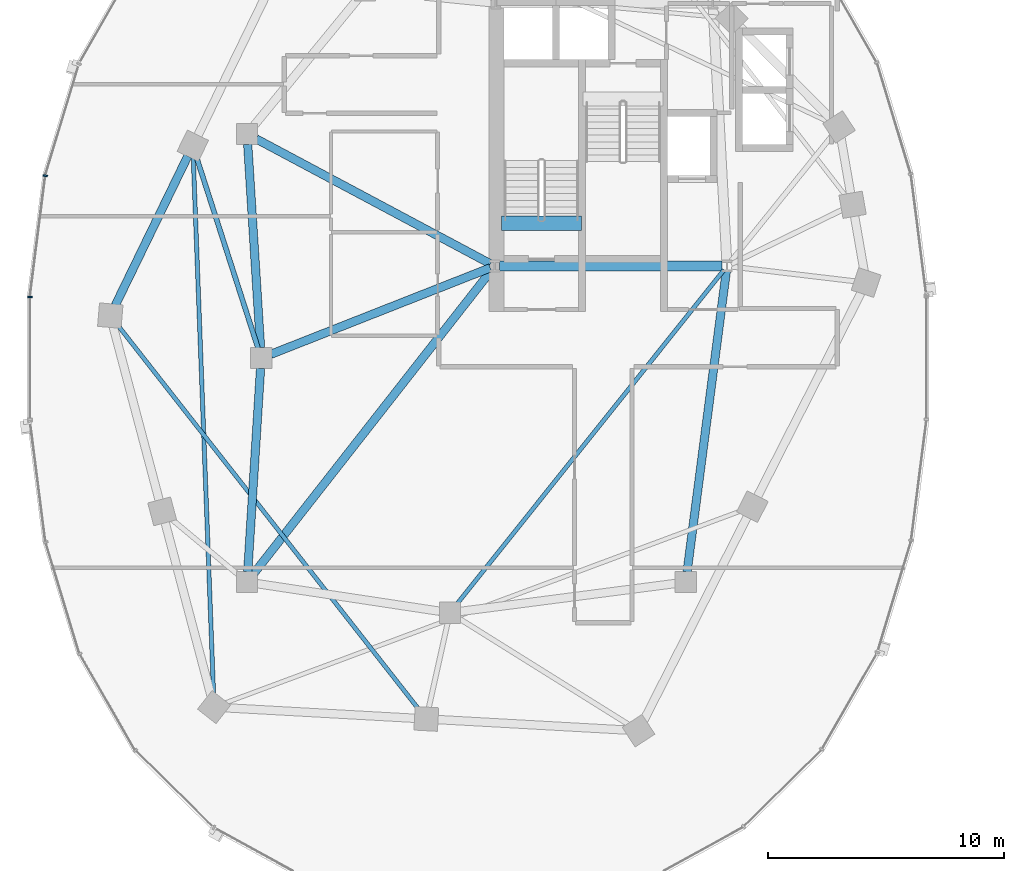
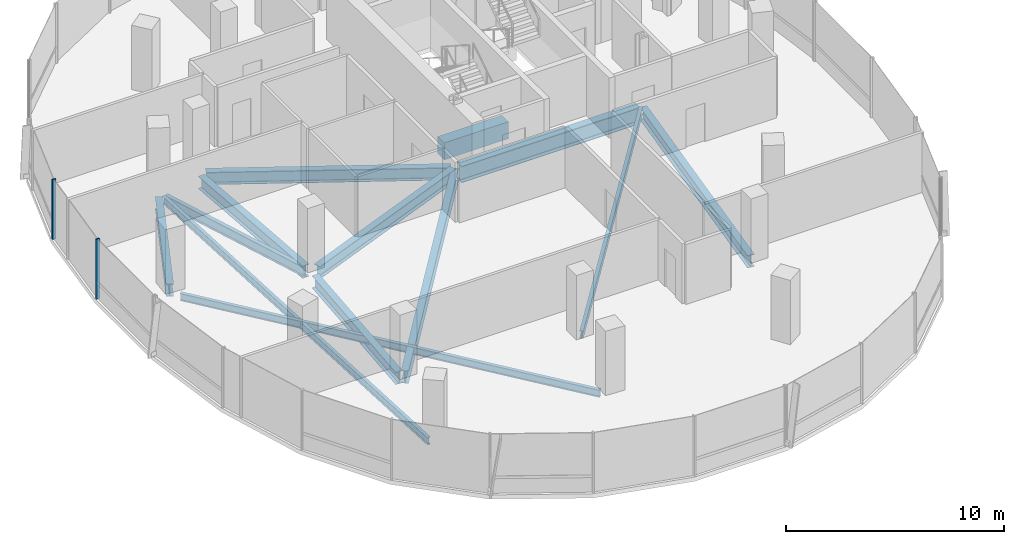
# One storey, part 3 of 22: 13 beams, 2 members, 1 element without a shape of its own.
"""IFC4 building model written with IfcOpenShell, lengths in metres."""

from ifc_helpers import new_model, si_unit, direction, frame, origin, origin_2d, place, context, subcontext, project, spatial, rectangle, i_section, extrude, material, material_profile, profile_set, type_object, element, aggregate, save


model = new_model("IFC4")

# Units and contexts
model_context = context("Model", 3, precision=1e-05, world=origin(), true_north=direction((0.0, 1.0)))
body_context = subcontext(model_context, "Body", "Model", "MODEL_VIEW")
ifc_project = project(units=[si_unit("LENGTHUNIT", "METRE"), si_unit("AREAUNIT", "SQUARE_METRE"), si_unit("VOLUMEUNIT", "CUBIC_METRE"), si_unit("PLANEANGLEUNIT", "RADIAN"), si_unit("MASSUNIT", "GRAM", prefix="KILO"), si_unit("THERMODYNAMICTEMPERATUREUNIT", "KELVIN"), si_unit("POWERUNIT", "WATT")], contexts=[model_context])

# Site, building, storey
site_placement = place(None, origin())
site = spatial("IfcSite", under=ifc_project, at=site_placement, CompositionType="ELEMENT")
building_placement = place(site_placement, origin())
building = spatial("IfcBuilding", under=site, at=building_placement, Name="Cundina Bronze Exchange", CompositionType="ELEMENT")
storey_placement = place(building_placement, frame((0.0, 0.0, 165.60009765625)))
storey = spatial("IfcBuildingStorey", under=building, at=storey_placement, Name="L43", CompositionType="ELEMENT", Elevation=165.60009765625)

# Beams
ifc_material_1 = material(Name="Concrete C60/75", Category="concrete")
ifc_material_profile_1 = material_profile(ifc_material_1, rectangle(XDim=0.60009765625, YDim=0.949951171875, at=origin_2d()), Name="RC600X950", Category="concrete")
ifc_profile_set_1 = profile_set([ifc_material_profile_1], Name="Concrete C60/75")
beam_type_1 = type_object("IfcBeamType", Name="BM-COUP-RC950", PredefinedType="LINTEL", material=ifc_profile_set_1)
beam_1_placement = place(storey_placement, frame((-31.02001953125, 5.719970703125, -0.47509765625), z_axis=(1.0, 0.0, 0.0), x_axis=(0.0, 1.0, 0.0)))
element("IfcBeam", 1, at=beam_1_placement, inside=storey, type_object=beam_type_1, Name="L43 Stair W1 Landing Header Beam", PredefinedType="LINTEL", context=body_context, shape_type="SweptSolid", body=[
    extrude(rectangle(XDim=0.60009765625, YDim=0.949951171875, at=origin_2d()), origin(), (0.0, 0.0, 1.0), 3.39990234375),
])
ifc_material_2 = material(Name="Steel ASTM A992 Grade 50", Category="steel")
ifc_material_profile_2 = material_profile(ifc_material_2, i_section(OverallWidth=0.2119140625, OverallDepth=0.5439453125, WebThickness=0.01318359375, FlangeThickness=0.021240234375, FilletRadius=0.013916015625, at=origin_2d()), Name="W21X83", Category="steel")
ifc_profile_set_2 = profile_set([ifc_material_profile_2], Name="Steel ASTM A992 Grade 50")
beam_type_2 = type_object("IfcBeamType", Name="BM-FLR-W21A", PredefinedType="BEAM", material=ifc_profile_set_2)
beam_2_placement = place(storey_placement, frame((-41.334228515625, 0.4169921875, -0.51220703125), z_axis=(-0.30669751302, 0.951807036908, 0.0), x_axis=(-0.951807036908, -0.30669751302, 0.0)))
element("IfcBeam", 2, at=beam_2_placement, inside=storey, type_object=beam_type_2, Name="L43 Leg W Radial Floor Beam 07", PredefinedType="BEAM", context=body_context, shape_type="SweptSolid", body=[
    extrude(i_section(OverallWidth=0.2119140625, OverallDepth=0.5439453125, WebThickness=0.01318359375, FlangeThickness=0.021240234375, FilletRadius=0.013916015625, at=origin_2d()), origin(), (0.0, 0.0, 1.0), 8.529541015625),
])
ifc_material_profile_3 = material_profile(ifc_material_2, i_section(OverallWidth=0.178955078125, OverallDepth=0.409912109375, WebThickness=0.0087890625, FlangeThickness=0.014404296875, FilletRadius=0.010986328125, at=origin_2d()), Name="W16X45", Category="steel")
ifc_profile_set_3 = profile_set([ifc_material_profile_3], Name="Steel ASTM A992 Grade 50")
beam_type_3 = type_object("IfcBeamType", Name="BM-JST-W16", PredefinedType="JOIST", material=ifc_profile_set_3)
beam_3_placement = place(storey_placement, frame((-21.577392578125, 3.740478515625, -0.445068359375), z_axis=(-0.624370675223, -0.781128196854, 0.0), x_axis=(0.781128196854, -0.624370675223, 0.0)))
element("IfcBeam", 3, at=beam_3_placement, inside=storey, type_object=beam_type_3, Name="L43 W Interior Core-to-Ring Joist 2", PredefinedType="JOIST", context=body_context, shape_type="SweptSolid", body=[
    extrude(i_section(OverallWidth=0.178955078125, OverallDepth=0.409912109375, WebThickness=0.0087890625, FlangeThickness=0.014404296875, FilletRadius=0.010986328125, at=origin_2d()), origin(), (0.0, 0.0, 1.0), 18.177001953125),
])
beam_4_placement = place(storey_placement, frame((-44.08154296875, 8.51220703125, -0.445068359375), z_axis=(0.037784933381, -0.999285894431, 0.0), x_axis=(0.999285894431, 0.037784933381, 0.0)))
element("IfcBeam", 4, at=beam_4_placement, inside=storey, type_object=beam_type_3, Name="L43 Leg W Lobe Floor Joist 07-10", PredefinedType="JOIST", context=body_context, shape_type="SweptSolid", body=[
    extrude(i_section(OverallWidth=0.178955078125, OverallDepth=0.409912109375, WebThickness=0.0087890625, FlangeThickness=0.014404296875, FilletRadius=0.010986328125, at=origin_2d()), origin(), (0.0, 0.0, 1.0), 22.8408203125),
])
beam_5_placement = place(storey_placement, frame((-47.299072265625, 1.416015625, -0.445068359375), z_axis=(0.616801484103, -0.787118751656, 0.0), x_axis=(0.787118751656, 0.616801484103, 0.0)))
element("IfcBeam", 5, at=beam_5_placement, inside=storey, type_object=beam_type_3, Name="L43 Leg W Lobe Floor Joist 08-11", PredefinedType="JOIST", context=body_context, shape_type="SweptSolid", body=[
    extrude(i_section(OverallWidth=0.178955078125, OverallDepth=0.409912109375, WebThickness=0.0087890625, FlangeThickness=0.014404296875, FilletRadius=0.010986328125, at=origin_2d()), origin(), (0.0, 0.0, 1.0), 20.7490234375),
])
ifc_material_profile_4 = material_profile(ifc_material_2, i_section(OverallWidth=0.35498046875, OverallDepth=0.695068359375, WebThickness=0.015380859375, FlangeThickness=0.02490234375, FilletRadius=0.01806640625, at=origin_2d()), Name="W27X146", Category="steel")
ifc_profile_set_4 = profile_set([ifc_material_profile_4], Name="Steel ASTM A992 Grade 50")
beam_type_4 = type_object("IfcBeamType", Name="BM-RING-W27", PredefinedType="USERDEFINED", material=ifc_profile_set_4)
for number, where, z_axis, x_axis, name in (
    (6, (-41.7724609375, 9.06298828125, -0.587646484375), (0.063046519736, -0.998010589297, 0.0), (0.998010589297, 0.063046519736, 0.0), "L43 W Inner Structural Ring Girder 03"),
    (7, (-41.2275390625, -0.43701171875, -0.587646484375), (-0.063046519736, -0.998010589297, 0.0), (0.998010589297, -0.063046519736, 0.0), "L43 W Inner Structural Ring Girder 04"),
):
    element("IfcBeam", number, at=place(storey_placement, frame(where, z_axis=z_axis, x_axis=x_axis)), inside=storey, type_object=beam_type_4, Name=name, ObjectType="GIRDER", PredefinedType="USERDEFINED", context=body_context, shape_type="SweptSolid", body=[
        extrude(i_section(OverallWidth=0.35498046875, OverallDepth=0.695068359375, WebThickness=0.015380859375, FlangeThickness=0.02490234375, FilletRadius=0.01806640625, at=origin_2d()), origin(), (0.0, 0.0, 1.0), 8.64306640625),
    ])
beam_6_placement = place(storey_placement, frame((-23.143310546875, -9.065673828125, -0.587646484375), z_axis=(0.129507030047, 0.991578503785, 0.0), x_axis=(-0.991578503785, 0.129507030047, 0.0)))
element("IfcBeam", 8, at=beam_6_placement, inside=storey, type_object=beam_type_4, Name="L43 W Inner Structural Ring Girder 07", ObjectType="GIRDER", PredefinedType="USERDEFINED", context=body_context, shape_type="SweptSolid", body=[
    extrude(i_section(OverallWidth=0.35498046875, OverallDepth=0.695068359375, WebThickness=0.015380859375, FlangeThickness=0.02490234375, FilletRadius=0.01806640625, at=origin_2d()), origin(), (0.0, 0.0, 1.0), 12.871826171875),
])
beam_7_placement = place(storey_placement, frame((-31.48974609375, 3.8251953125, -0.587646484375), z_axis=(-0.930405617189, -0.36653156413, 0.0), x_axis=(0.36653156413, -0.930405617189, 0.0)))
element("IfcBeam", 9, at=beam_7_placement, inside=storey, type_object=beam_type_4, Name="L43 W Core-to-Waist Tie Beam 1", ObjectType="GIRDER", PredefinedType="USERDEFINED", context=body_context, shape_type="SweptSolid", body=[
    extrude(i_section(OverallWidth=0.35498046875, OverallDepth=0.695068359375, WebThickness=0.015380859375, FlangeThickness=0.02490234375, FilletRadius=0.01806640625, at=origin_2d()), origin(), (0.0, 0.0, 1.0), 9.99853515625),
])
beam_8_placement = place(storey_placement, frame((-31.47998046875, 3.99609375, -0.587646484375), z_axis=(-0.88235534237, 0.470583733028, 0.0), x_axis=(-0.470583733028, -0.88235534237, 0.0)))
element("IfcBeam", 10, at=beam_8_placement, inside=storey, type_object=beam_type_4, Name="L43 W Core-to-Waist Tie Beam 2", ObjectType="GIRDER", PredefinedType="USERDEFINED", context=body_context, shape_type="SweptSolid", body=[
    extrude(i_section(OverallWidth=0.35498046875, OverallDepth=0.695068359375, WebThickness=0.015380859375, FlangeThickness=0.02490234375, FilletRadius=0.01806640625, at=origin_2d()), origin(), (0.0, 0.0, 1.0), 11.258056640625),
])
beam_9_placement = place(storey_placement, frame((-31.42578125, 3.739501953125, -0.587646484375), z_axis=(-0.616779109924, -0.787136283982, 0.0), x_axis=(0.787136283982, -0.616779109924, 0.0)))
element("IfcBeam", 11, at=beam_9_placement, inside=storey, type_object=beam_type_4, Name="L43 W Core-to-Waist Tie Beam 3", ObjectType="GIRDER", PredefinedType="USERDEFINED", context=body_context, shape_type="SweptSolid", body=[
    extrude(i_section(OverallWidth=0.35498046875, OverallDepth=0.695068359375, WebThickness=0.015380859375, FlangeThickness=0.02490234375, FilletRadius=0.01806640625, at=origin_2d()), origin(), (0.0, 0.0, 1.0), 16.3818359375),
])
beam_10_placement = place(storey_placement, frame((-44.3134765625, 8.56103515625, -0.587646484375), z_axis=(-0.437196998825, -0.89936576776, 0.0), x_axis=(0.89936576776, -0.437196998825, 0.0)))
element("IfcBeam", 12, at=beam_10_placement, inside=storey, type_object=beam_type_4, Name="L43 W Perimeter Ring Girder 07", ObjectType="GIRDER", PredefinedType="USERDEFINED", context=body_context, shape_type="SweptSolid", body=[
    extrude(i_section(OverallWidth=0.35498046875, OverallDepth=0.695068359375, WebThickness=0.015380859375, FlangeThickness=0.02490234375, FilletRadius=0.01806640625, at=origin_2d()), origin(), (0.0, 0.0, 1.0), 7.029541015625),
])
ifc_material_profile_5 = material_profile(ifc_material_2, i_section(OverallWidth=0.41796875, OverallDepth=0.927001953125, WebThickness=0.019287109375, FlangeThickness=0.031982421875, FilletRadius=0.02392578125, at=origin_2d()), Name="W36X231", Category="steel")
ifc_profile_set_5 = profile_set([ifc_material_profile_5], Name="Steel ASTM A992 Grade 50")
beam_type_5 = type_object("IfcBeamType", Name="BM-WRN-W36B", PredefinedType="USERDEFINED", material=ifc_profile_set_5)
beam_11_placement = place(storey_placement, frame((-31.095947265625, 3.89990234375, -0.70361328125), z_axis=(1.0, 0.0, 0.0), x_axis=(0.0, 1.0, 0.0)))
element("IfcBeam", 13, at=beam_11_placement, inside=storey, type_object=beam_type_5, Name="L43 W Core Perimeter Tie Girder 1", ObjectType="GIRDER", PredefinedType="USERDEFINED", context=body_context, shape_type="SweptSolid", body=[
    extrude(i_section(OverallWidth=0.41796875, OverallDepth=0.927001953125, WebThickness=0.019287109375, FlangeThickness=0.031982421875, FilletRadius=0.02392578125, at=origin_2d()), origin(), (0.0, 0.0, 1.0), 9.44189453125),
])

# Curtain wall, members
ifc_material_3 = material(Name="Anodised Bronze Aluminium 6063-T6", Category="aluminium")
curtain_wall_type = type_object("IfcCurtainWallType", Name="CWS-WST-PIN", PredefinedType="NOTDEFINED", material=ifc_material_3)
curtain_wall_placement = place(storey_placement, origin())
curtain_wall = element("IfcCurtainWall", 14, at=curtain_wall_placement, inside=storey, type_object=curtain_wall_type, Name="L43 CW-04 Curtain Wall Run CWR-L43-W2", PredefinedType="NOTDEFINED")
ifc_material_profile_6 = material_profile(ifc_material_3, rectangle(XDim=0.070068359375, YDim=0.18994140625, at=origin_2d()), Name="AL70X190", Category="aluminium")
ifc_profile_set_6 = profile_set([ifc_material_profile_6], Name="Anodised Bronze Aluminium 6063-T6")
member_type = type_object("IfcMemberType", Name="CWM-MUL-190", PredefinedType="MULLION", material=ifc_profile_set_6)
member_1_placement = place(storey_placement, frame((-50.357177734375, 7.731689453125, 0.0), z_axis=(0.0, 0.0, 1.0), x_axis=(-0.126545236492, -0.991960837494, 0.0)))
member_1 = element("IfcMember", 15, at=member_1_placement, type_object=member_type, Name="CW-04 Mullion 6", PredefinedType="MULLION", context=body_context, shape_type="SweptSolid", body=[
    extrude(rectangle(XDim=0.070068359375, YDim=0.18994140625, at=origin_2d()), origin(), (0.0, 0.0, 1.0), 3.35986328125),
])
member_2_placement = place(storey_placement, frame((-51.007080078125, 2.593017578125, 0.0), z_axis=(0.0, 0.0, 1.0), x_axis=(0.0, -1.0, 0.0)))
member_2 = element("IfcMember", 16, at=member_2_placement, type_object=member_type, Name="CW-04 Mullion 7", PredefinedType="MULLION", context=body_context, shape_type="SweptSolid", body=[
    extrude(rectangle(XDim=0.070068359375, YDim=0.18994140625, at=origin_2d()), origin(), (0.0, 0.0, 1.0), 3.35986328125),
])
aggregate(curtain_wall, [member_1, member_2])

save(model, "model.ifc")
